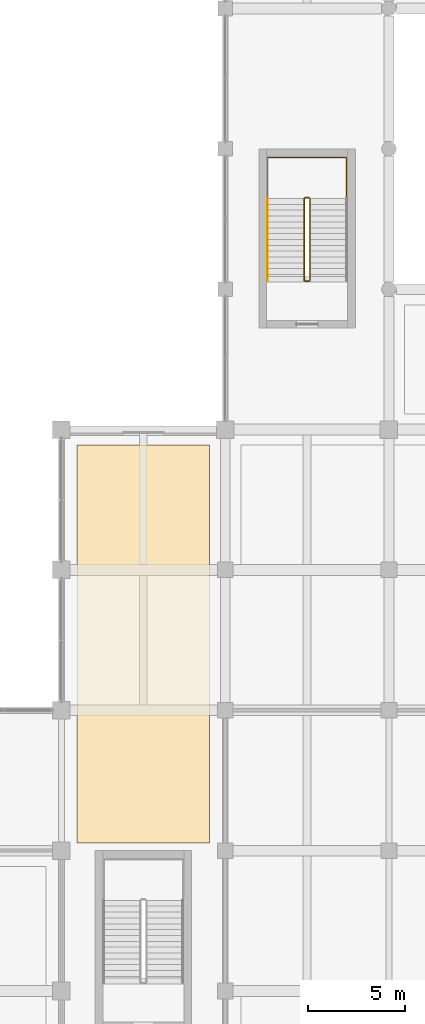
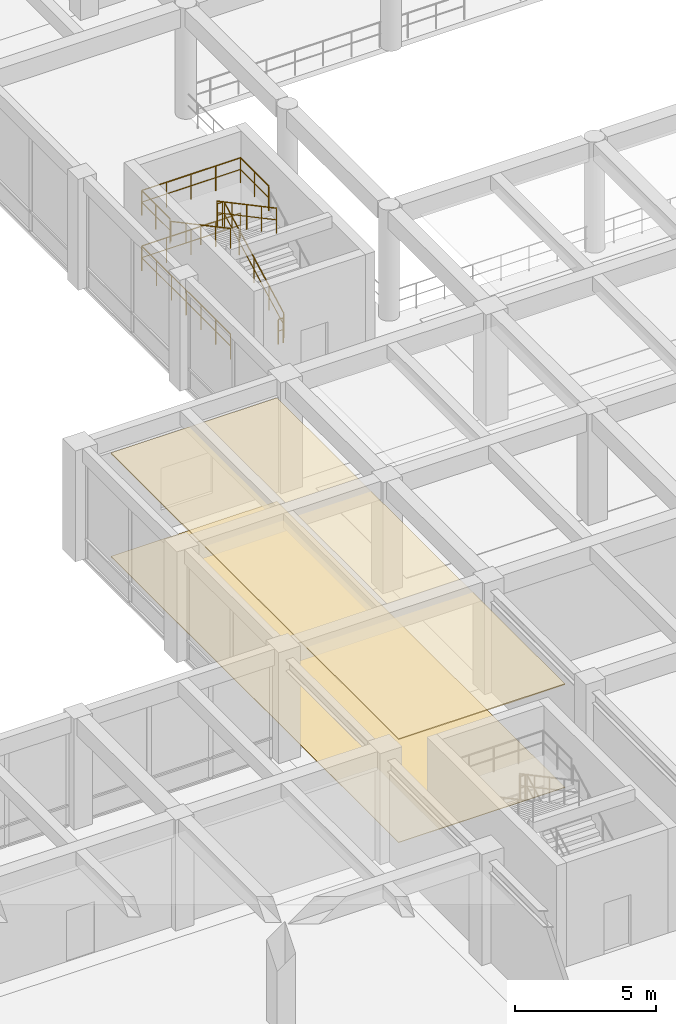
# One storey, part 45 of 52: 7 railings, 2 coverings.
"""IFC4 building model written with IfcOpenShell, lengths in metres."""

from ifc_helpers import new_model, si_unit, direction, frame, origin, origin_2d, place, context, subcontext, project, spatial, polyline, circle, outline, extrude, material, layer, layer_set, type_object, element, save


model = new_model("IFC4")

# Units and contexts
model_context = context("Model", 3, precision=1e-05, world=origin(), true_north=direction((0.0, 1.0)))
body_context = subcontext(model_context, "Body", "Model", "MODEL_VIEW")
ifc_project = project(units=[si_unit("LENGTHUNIT", "METRE"), si_unit("AREAUNIT", "SQUARE_METRE"), si_unit("VOLUMEUNIT", "CUBIC_METRE"), si_unit("PLANEANGLEUNIT", "RADIAN"), si_unit("MASSUNIT", "GRAM", prefix="KILO")], contexts=[model_context])

# Site, building, storey
site_placement = place(None, origin())
site = spatial("IfcSite", under=ifc_project, at=site_placement, CompositionType="ELEMENT")
building_placement = place(site_placement, origin())
building = spatial("IfcBuilding", under=site, at=building_placement, Name="Kenerak Square Central Library", CompositionType="ELEMENT")
storey_placement = place(building_placement, frame((0.0, 0.0, 4.800048828125)))
storey = spatial("IfcBuildingStorey", under=building, at=storey_placement, Name="L01", CompositionType="ELEMENT", Elevation=4.800048828125)

# Coverings
ifc_material_1 = material(Name="Chengal hardwood timber SG1", Category="wood")
ifc_layer_1 = layer(ifc_material_1, 0.044921875)
ifc_layer_set_1 = layer_set([ifc_layer_1], Name="Chengal hardwood timber SG1")
covering_type_1 = type_object("IfcCoveringType", Name="Perforated Chengal Acoustic Ceiling CV-CEIL", PredefinedType="CEILING", material=ifc_layer_set_1)
covering_1_placement = place(storey_placement, frame((0.0, 0.0, 4.454833984375)))
element("IfcCovering", 1, at=covering_1_placement, inside=storey, type_object=covering_type_1, Name="Acoustic Ceiling L01-21", PredefinedType="CEILING", context=body_context, shape_type="SweptSolid", body=[
    extrude(outline(polyline([(59.199951171875, 52.0), (66.0, 52.0), (66.0, 31.60009765625), (59.199951171875, 31.60009765625), (59.199951171875, 52.0)])), origin(), (0.0, 0.0, 1.0), 0.045166015625),
])
ifc_material_2 = material(Name="Polished granite aggregate terrazzo", Category="masonry")
ifc_layer_2 = layer(ifc_material_2, 0.02490234375)
ifc_layer_set_2 = layer_set([ifc_layer_2], Name="Polished granite aggregate terrazzo")
covering_type_2 = type_object("IfcCoveringType", Name="Polished Terrazzo Reading Floor Finish CV-FLR", PredefinedType="FLOORING", material=ifc_layer_set_2)
covering_2_placement = place(storey_placement, origin())
element("IfcCovering", 2, at=covering_2_placement, inside=storey, type_object=covering_type_2, Name="Terrazzo Floor Finish L01-21", PredefinedType="FLOORING", context=body_context, shape_type="SweptSolid", body=[
    extrude(outline(polyline([(59.199951171875, 52.0), (66.0, 52.0), (66.0, 31.60009765625), (59.199951171875, 31.60009765625), (59.199951171875, 52.0)])), origin(), (0.0, 0.0, 1.0), 0.02490234375),
])

# Railings
ifc_material_3 = material(Name="Steel S355", Category="steel")
railing_type_1 = type_object("IfcRailingType", Name="Safety Guardrail GR-1100 S355", PredefinedType="GUARDRAIL", material=ifc_material_3)
railing_1_placement = place(storey_placement, frame((71.14990234375, 60.449951171875, 0.159912109375)))
element("IfcRailing", 3, at=railing_1_placement, inside=storey, type_object=railing_type_1, Name="L01 ST-08 stair guard 1", PredefinedType="GUARDRAIL", context=body_context, shape_type="SweptSolid", body=[
    extrude(circle(Radius=0.02392578125, at=origin_2d()), frame((0.0, 0.0, 1.076171875), z_axis=(0.0, 0.882351521365, 0.470590897432), x_axis=(-1.0, 0.0, 0.0)), (0.0, 0.0, 1.0), 4.760009765625),
    extrude(circle(Radius=0.01806640625, at=origin_2d()), frame((0.0, 0.0, 0.572021484375), z_axis=(0.0, 0.882351521365, 0.470590897432), x_axis=(-1.0, 0.0, 0.0)), (0.0, 0.0, 1.0), 4.760009765625),
    extrude(circle(Radius=0.02099609375, at=origin_2d()), origin(), (0.0, 0.0, 1.0), 1.052001953125),
    extrude(circle(Radius=0.02099609375, at=origin_2d()), frame((0.0, 1.050048828125, 0.56005859375)), (0.0, 0.0, 1.0), 1.052001953125),
    extrude(circle(Radius=0.02099609375, at=origin_2d()), frame((0.0, 2.10009765625, 1.1201171875)), (0.0, 0.0, 1.0), 1.052001953125),
    extrude(circle(Radius=0.02099609375, at=origin_2d()), frame((0.0, 3.14990234375, 1.679931640625)), (0.0, 0.0, 1.0), 1.052001953125),
    extrude(circle(Radius=0.02099609375, at=origin_2d()), frame((0.0, 4.199951171875, 2.239990234375)), (0.0, 0.0, 1.0), 1.052001953125),
])
railing_2_placement = place(storey_placement, frame((71.10009765625, 64.699951171875, 2.39990234375)))
element("IfcRailing", 4, at=railing_2_placement, inside=storey, type_object=railing_type_1, Name="L01 ST-08 stair guard 2", PredefinedType="GUARDRAIL", context=body_context, shape_type="SweptSolid", body=[
    extrude(circle(Radius=0.02392578125, at=origin_2d()), frame((0.0, 0.0, 1.076171875), z_axis=(-1.0, 0.0, 0.0), x_axis=(0.0, -1.0, 0.0)), (0.0, 0.0, 1.0), 0.2001953125),
    extrude(circle(Radius=0.01806640625, at=origin_2d()), frame((0.0, 0.0, 0.572021484375), z_axis=(-1.0, 0.0, 0.0), x_axis=(0.0, -1.0, 0.0)), (0.0, 0.0, 1.0), 0.2001953125),
    extrude(circle(Radius=0.02099609375, at=origin_2d()), origin(), (0.0, 0.0, 1.0), 1.052001953125),
    extrude(circle(Radius=0.02099609375, at=origin_2d()), frame((-0.2001953125, 0.0, 0.0)), (0.0, 0.0, 1.0), 1.052001953125),
])
railing_3_placement = place(storey_placement, frame((70.85009765625, 64.64990234375, 2.56005859375)))
element("IfcRailing", 5, at=railing_3_placement, inside=storey, type_object=railing_type_1, Name="L01 ST-08 stair guard 3", PredefinedType="GUARDRAIL", context=body_context, shape_type="SweptSolid", body=[
    extrude(circle(Radius=0.02392578125, at=origin_2d()), frame((0.0, 0.0, 1.076171875), z_axis=(0.0, -0.882351521365, 0.470590897432), x_axis=(1.0, 0.0, 0.0)), (0.0, 0.0, 1.0), 4.760009765625),
    extrude(circle(Radius=0.01806640625, at=origin_2d()), frame((0.0, 0.0, 0.572021484375), z_axis=(0.0, -0.882351521365, 0.470590897432), x_axis=(1.0, 0.0, 0.0)), (0.0, 0.0, 1.0), 4.760009765625),
    extrude(circle(Radius=0.02099609375, at=origin_2d()), origin(), (0.0, 0.0, 1.0), 1.052001953125),
    extrude(circle(Radius=0.02099609375, at=origin_2d()), frame((0.0, -1.050048828125, 0.56005859375)), (0.0, 0.0, 1.0), 1.052001953125),
    extrude(circle(Radius=0.02099609375, at=origin_2d()), frame((0.0, -2.10009765625, 1.1201171875)), (0.0, 0.0, 1.0), 1.052001953125),
    extrude(circle(Radius=0.02099609375, at=origin_2d()), frame((0.0, -3.14990234375, 1.679931640625)), (0.0, 0.0, 1.0), 1.052001953125),
    extrude(circle(Radius=0.02099609375, at=origin_2d()), frame((0.0, -4.199951171875, 2.239990234375)), (0.0, 0.0, 1.0), 1.052001953125),
])
railing_4_placement = place(storey_placement, frame((71.10009765625, 60.39990234375, 0.0)))
element("IfcRailing", 6, at=railing_4_placement, inside=storey, type_object=railing_type_1, Name="L01 ST-08 stair guard 4", PredefinedType="GUARDRAIL", context=body_context, shape_type="SweptSolid", body=[
    extrude(circle(Radius=0.02392578125, at=origin_2d()), frame((0.0, 0.0, 1.076171875), z_axis=(-1.0, 0.0, 0.0), x_axis=(0.0, -1.0, 0.0)), (0.0, 0.0, 1.0), 0.2001953125),
    extrude(circle(Radius=0.01806640625, at=origin_2d()), frame((0.0, 0.0, 0.572021484375), z_axis=(-1.0, 0.0, 0.0), x_axis=(0.0, -1.0, 0.0)), (0.0, 0.0, 1.0), 0.2001953125),
    extrude(circle(Radius=0.02099609375, at=origin_2d()), origin(), (0.0, 0.0, 1.0), 1.052001953125),
    extrude(circle(Radius=0.02099609375, at=origin_2d()), frame((-0.2001953125, 0.0, 0.0)), (0.0, 0.0, 1.0), 1.052001953125),
])
railing_5_placement = place(storey_placement, frame((68.97998046875, 64.75, 2.39990234375)))
element("IfcRailing", 7, at=railing_5_placement, inside=storey, type_object=railing_type_1, Name="Stair Half-Landing Guard ST-08 L01", PredefinedType="GUARDRAIL", context=body_context, shape_type="SweptSolid", body=[
    extrude(circle(Radius=0.02392578125, at=origin_2d()), frame((0.0, 0.0, 1.076171875), z_axis=(0.0, 1.0, 0.0), x_axis=(-1.0, 0.0, 0.0)), (0.0, 0.0, 1.0), 2.0),
    extrude(circle(Radius=0.01806640625, at=origin_2d()), frame((0.0, 0.0, 0.572021484375), z_axis=(0.0, 1.0, 0.0), x_axis=(-1.0, 0.0, 0.0)), (0.0, 0.0, 1.0), 2.0),
    extrude(circle(Radius=0.02392578125, at=origin_2d()), frame((0.0, 2.0, 1.076171875), z_axis=(1.0, 0.0, 0.0), x_axis=(0.0, 1.0, 0.0)), (0.0, 0.0, 1.0), 4.0400390625),
    extrude(circle(Radius=0.01806640625, at=origin_2d()), frame((0.0, 2.0, 0.572021484375), z_axis=(1.0, 0.0, 0.0), x_axis=(0.0, 1.0, 0.0)), (0.0, 0.0, 1.0), 4.0400390625),
    extrude(circle(Radius=0.02392578125, at=origin_2d()), frame((4.0400390625, 2.0, 1.076171875), z_axis=(0.0, -1.0, 0.0), x_axis=(1.0, 0.0, 0.0)), (0.0, 0.0, 1.0), 2.0),
    extrude(circle(Radius=0.01806640625, at=origin_2d()), frame((4.0400390625, 2.0, 0.572021484375), z_axis=(0.0, -1.0, 0.0), x_axis=(1.0, 0.0, 0.0)), (0.0, 0.0, 1.0), 2.0),
    extrude(circle(Radius=0.02099609375, at=origin_2d()), origin(), (0.0, 0.0, 1.0), 1.052001953125),
    extrude(circle(Radius=0.02099609375, at=origin_2d()), frame((0.0, 1.0, 0.0)), (0.0, 0.0, 1.0), 1.052001953125),
    extrude(circle(Radius=0.02099609375, at=origin_2d()), frame((0.0, 2.0, 0.0)), (0.0, 0.0, 1.0), 1.052001953125),
    extrude(circle(Radius=0.02099609375, at=origin_2d()), frame((1.010009765625, 2.0, 0.0)), (0.0, 0.0, 1.0), 1.052001953125),
    extrude(circle(Radius=0.02099609375, at=origin_2d()), frame((2.02001953125, 2.0, 0.0)), (0.0, 0.0, 1.0), 1.052001953125),
    extrude(circle(Radius=0.02099609375, at=origin_2d()), frame((3.030029296875, 2.0, 0.0)), (0.0, 0.0, 1.0), 1.052001953125),
    extrude(circle(Radius=0.02099609375, at=origin_2d()), frame((4.0400390625, 2.0, 0.0)), (0.0, 0.0, 1.0), 1.052001953125),
    extrude(circle(Radius=0.02099609375, at=origin_2d()), frame((4.0400390625, 1.0, 0.0)), (0.0, 0.0, 1.0), 1.052001953125),
    extrude(circle(Radius=0.02099609375, at=origin_2d()), frame((4.0400390625, 0.0, 0.0)), (0.0, 0.0, 1.0), 1.052001953125),
])
railing_6_placement = place(storey_placement, frame((68.97998046875, 60.449951171875, 0.0)))
element("IfcRailing", 8, at=railing_6_placement, inside=storey, type_object=railing_type_1, Name="Stair Well Floor Guard ST-08 L01", PredefinedType="GUARDRAIL", context=body_context, shape_type="SweptSolid", body=[
    extrude(circle(Radius=0.02392578125, at=origin_2d()), frame((0.0, 0.0, 1.076171875), z_axis=(0.0, 1.0, 0.0), x_axis=(-1.0, 0.0, 0.0)), (0.0, 0.0, 1.0), 6.300048828125),
    extrude(circle(Radius=0.01806640625, at=origin_2d()), frame((0.0, 0.0, 0.572021484375), z_axis=(0.0, 1.0, 0.0), x_axis=(-1.0, 0.0, 0.0)), (0.0, 0.0, 1.0), 6.300048828125),
    extrude(circle(Radius=0.02392578125, at=origin_2d()), frame((0.0, 6.300048828125, 1.076171875), z_axis=(1.0, 0.0, 0.0), x_axis=(0.0, 1.0, 0.0)), (0.0, 0.0, 1.0), 4.0400390625),
    extrude(circle(Radius=0.01806640625, at=origin_2d()), frame((0.0, 6.300048828125, 0.572021484375), z_axis=(1.0, 0.0, 0.0), x_axis=(0.0, 1.0, 0.0)), (0.0, 0.0, 1.0), 4.0400390625),
    extrude(circle(Radius=0.02099609375, at=origin_2d()), origin(), (0.0, 0.0, 1.0), 1.052001953125),
    extrude(circle(Radius=0.02099609375, at=origin_2d()), frame((0.0, 1.050048828125, 0.0)), (0.0, 0.0, 1.0), 1.052001953125),
    extrude(circle(Radius=0.02099609375, at=origin_2d()), frame((0.0, 2.10009765625, 0.0)), (0.0, 0.0, 1.0), 1.052001953125),
    extrude(circle(Radius=0.02099609375, at=origin_2d()), frame((0.0, 3.14990234375, 0.0)), (0.0, 0.0, 1.0), 1.052001953125),
    extrude(circle(Radius=0.02099609375, at=origin_2d()), frame((0.0, 4.199951171875, 0.0)), (0.0, 0.0, 1.0), 1.052001953125),
    extrude(circle(Radius=0.02099609375, at=origin_2d()), frame((0.0, 5.25, 0.0)), (0.0, 0.0, 1.0), 1.052001953125),
    extrude(circle(Radius=0.02099609375, at=origin_2d()), frame((0.0, 6.300048828125, 0.0)), (0.0, 0.0, 1.0), 1.052001953125),
    extrude(circle(Radius=0.02099609375, at=origin_2d()), frame((1.010009765625, 6.300048828125, 0.0)), (0.0, 0.0, 1.0), 1.052001953125),
    extrude(circle(Radius=0.02099609375, at=origin_2d()), frame((2.02001953125, 6.300048828125, 0.0)), (0.0, 0.0, 1.0), 1.052001953125),
    extrude(circle(Radius=0.02099609375, at=origin_2d()), frame((3.030029296875, 6.300048828125, 0.0)), (0.0, 0.0, 1.0), 1.052001953125),
    extrude(circle(Radius=0.02099609375, at=origin_2d()), frame((4.0400390625, 6.300048828125, 0.0)), (0.0, 0.0, 1.0), 1.052001953125),
])
railing_type_2 = type_object("IfcRailingType", Name="Stair Handrail HR-880 S355", PredefinedType="HANDRAIL", material=ifc_material_3)
railing_7_placement = place(storey_placement, frame((68.969970703125, 64.64990234375, 2.56005859375)))
element("IfcRailing", 9, at=railing_7_placement, inside=storey, type_object=railing_type_2, Name="L01 ST-08 stair handrail 2", PredefinedType="HANDRAIL", context=body_context, shape_type="SweptSolid", body=[
    extrude(circle(Radius=0.02392578125, at=origin_2d()), frame((0.0, 0.0, 0.85595703125), z_axis=(0.0, -0.882351521365, 0.470590897432), x_axis=(1.0, 0.0, 0.0)), (0.0, 0.0, 1.0), 4.760009765625),
    extrude(circle(Radius=0.02099609375, at=origin_2d()), origin(), (0.0, 0.0, 1.0), 0.831787109375),
    extrude(circle(Radius=0.02099609375, at=origin_2d()), frame((0.0, -1.050048828125, 0.56005859375)), (0.0, 0.0, 1.0), 0.831787109375),
    extrude(circle(Radius=0.02099609375, at=origin_2d()), frame((0.0, -2.10009765625, 1.1201171875)), (0.0, 0.0, 1.0), 0.831787109375),
    extrude(circle(Radius=0.02099609375, at=origin_2d()), frame((0.0, -3.14990234375, 1.679931640625)), (0.0, 0.0, 1.0), 0.831787109375),
    extrude(circle(Radius=0.02099609375, at=origin_2d()), frame((0.0, -4.199951171875, 2.239990234375)), (0.0, 0.0, 1.0), 0.831787109375),
])

save(model, "model.ifc")
